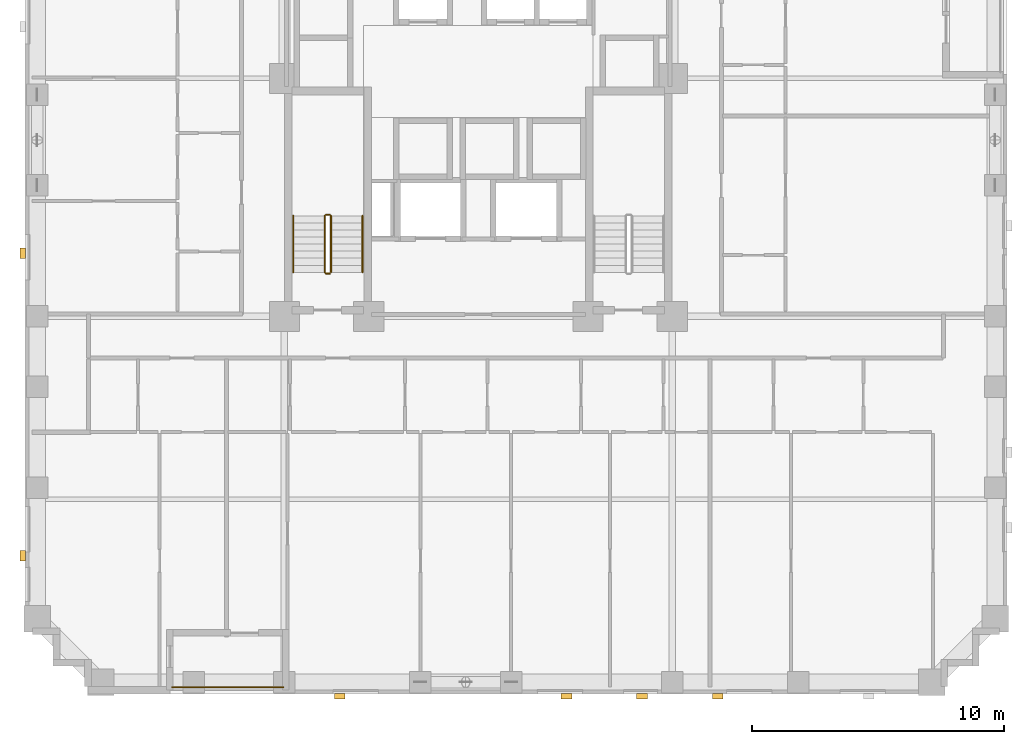
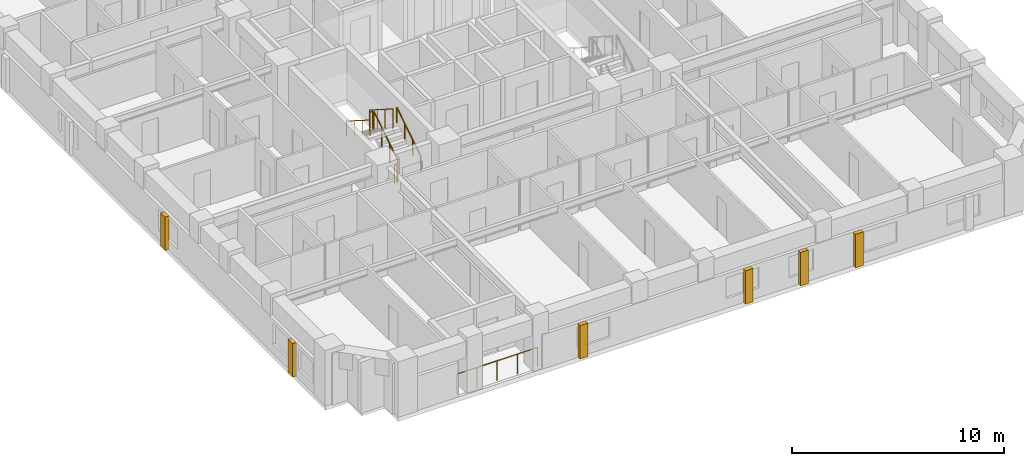
# One storey, part 12 of 14: 7 railings, 6 coverings.
"""IFC4 building model written with IfcOpenShell, lengths in metres."""

from ifc_helpers import new_model, si_unit, derived_unit, direction, frame, origin, origin_2d, place, context, subcontext, project, spatial, rectangle, circle, extrude, material, layer, layer_set, type_object, element, save


model = new_model("IFC4")

# Units and contexts
model_context = context("Model", 3, precision=1e-05, world=origin(), true_north=direction((0.0, 1.0)))
body_context = subcontext(model_context, "Body", "Model", "MODEL_VIEW")
ifc_project = project(units=[si_unit("LENGTHUNIT", "METRE"), si_unit("AREAUNIT", "SQUARE_METRE"), si_unit("VOLUMEUNIT", "CUBIC_METRE"), si_unit("PLANEANGLEUNIT", "RADIAN"), si_unit("MASSUNIT", "GRAM", prefix="KILO"), derived_unit("THERMALTRANSMITTANCEUNIT", [(si_unit("MASSUNIT", "GRAM", prefix="KILO"), 1), (si_unit("TIMEUNIT", "SECOND"), -3), (si_unit("THERMODYNAMICTEMPERATUREUNIT", "KELVIN"), -1)])], contexts=[model_context])

# Site, building, storey
site_placement = place(None, origin())
site = spatial("IfcSite", under=ifc_project, at=site_placement, CompositionType="ELEMENT")
building_placement = place(site_placement, origin())
building = spatial("IfcBuilding", under=site, at=building_placement, Name="Korrvale Station Residences", CompositionType="ELEMENT")
storey_placement = place(building_placement, frame((0.0, 0.0, 48.199951171875)))
storey = spatial("IfcBuildingStorey", under=building, at=storey_placement, Name="L12", CompositionType="ELEMENT", Elevation=48.199951171875)

# Coverings
ifc_material_1 = material(Name="Architectural precast concrete C45/55", Category="concrete")
ifc_layer = layer(ifc_material_1, 0.219970703125, Name="Architectural precast concrete C45/55")
ifc_layer_set = layer_set([ifc_layer], Name="Architectural precast concrete C45/55")
covering_type = type_object("IfcCoveringType", Name="COV-PIER-400", PredefinedType="CLADDING", material=ifc_layer_set)
for number, where, z_axis, x_axis, name in (
    (1, (35.0, -0.090087890625, 0.02490234375), (0.0, 0.0, 1.0), (1.0, 0.0, 0.0), "L12 Architectural Precast Facade Pier 02"),
    (2, (32.0, -0.090087890625, 0.02490234375), (0.0, 0.0, 1.0), (1.0, 0.0, 0.0), "L12 Architectural Precast Facade Pier 03"),
    (3, (29.0, -0.090087890625, 0.02490234375), (0.0, 0.0, 1.0), (1.0, 0.0, 0.0), "L12 Architectural Precast Facade Pier 04"),
    (4, (20.0, -0.090087890625, 0.02490234375), (0.0, 0.0, 1.0), (1.0, 0.0, 0.0), "L12 Architectural Precast Facade Pier 05"),
    (5, (7.409912109375, 5.5, 0.02490234375), (0.0, 0.0, 1.0), (0.0, 1.0, 0.0), "L12 Architectural Precast Facade Pier 12"),
    (6, (7.409912109375, 17.5, 0.02490234375), (0.0, 0.0, 1.0), (0.0, 1.0, 0.0), "L12 Architectural Precast Facade Pier 13"),
):
    element("IfcCovering", number, at=place(storey_placement, frame(where, z_axis=z_axis, x_axis=x_axis)), inside=storey, type_object=covering_type, Name=name, PredefinedType="CLADDING", context=body_context, shape_type="SweptSolid", body=[
        extrude(rectangle(XDim=0.419921875, YDim=0.219970703125, at=origin_2d()), origin(), (0.0, 0.0, 1.0), 1.925048828125),
    ])

# Railings
ifc_material_2 = material(Name="Powder-coated aluminium picket loggia guard", Category="aluminium")
railing_type_1 = type_object("IfcRailingType", Name="RLG-BAL-1150", PredefinedType="GUARDRAIL", material=ifc_material_2)
railing_1_placement = place(storey_placement, frame((13.35009765625, 0.27001953125, 0.0)))
element("IfcRailing", 7, at=railing_1_placement, inside=storey, type_object=railing_type_1, Name="L12 Recessed Loggia Guardrail BAL-L12-S1", PredefinedType="GUARDRAIL", context=body_context, shape_type="SweptSolid", body=[
    extrude(circle(Radius=0.02392578125, at=origin_2d()), frame((0.0, 0.0, 1.1259765625), z_axis=(1.0, 0.0, 0.0), x_axis=(0.0, 1.0, 0.0)), (0.0, 0.0, 1.0), 4.39990234375),
    extrude(circle(Radius=0.02099609375, at=origin_2d()), origin(), (0.0, 0.0, 1.0), 1.101806640625),
    extrude(circle(Radius=0.02099609375, at=origin_2d()), frame((1.10009765625, 0.0, 0.0)), (0.0, 0.0, 1.0), 1.101806640625),
    extrude(circle(Radius=0.02099609375, at=origin_2d()), frame((2.199951171875, 0.0, 0.0)), (0.0, 0.0, 1.0), 1.101806640625),
    extrude(circle(Radius=0.02099609375, at=origin_2d()), frame((3.2998046875, 0.0, 0.0)), (0.0, 0.0, 1.0), 1.101806640625),
    extrude(circle(Radius=0.02099609375, at=origin_2d()), frame((4.39990234375, 0.0, 0.0)), (0.0, 0.0, 1.0), 1.101806640625),
])
ifc_material_3 = material(Name="Brushed stainless-steel continuous stair handrail", Category="steel")
railing_type_2 = type_object("IfcRailingType", Name="RLG-SHND-900", PredefinedType="HANDRAIL", material=ifc_material_3)
railing_2_placement = place(storey_placement, frame((20.89990234375, 16.75, 0.177734375)))
element("IfcRailing", 8, at=railing_2_placement, inside=storey, type_object=railing_type_2, Name="L12 ST-1 stair handrail 1", PredefinedType="HANDRAIL", context=body_context, shape_type="SweptSolid", body=[
    extrude(circle(Radius=0.02392578125, at=origin_2d()), frame((0.0, 0.0, 0.8759765625), z_axis=(0.0, 0.84418770128, 0.536047689118), x_axis=(-1.0, 0.0, 0.0)), (0.0, 0.0, 1.0), 2.6533203125),
    extrude(circle(Radius=0.02099609375, at=origin_2d()), origin(), (0.0, 0.0, 1.0), 0.851806640625),
    extrude(circle(Radius=0.02099609375, at=origin_2d()), frame((0.0, 0.74658203125, 0.47412109375)), (0.0, 0.0, 1.0), 0.851806640625),
    extrude(circle(Radius=0.02099609375, at=origin_2d()), frame((0.0, 1.493408203125, 0.9482421875)), (0.0, 0.0, 1.0), 0.851806640625),
    extrude(circle(Radius=0.02099609375, at=origin_2d()), frame((0.0, 2.239990234375, 1.42236328125)), (0.0, 0.0, 1.0), 0.851806640625),
])
railing_3_placement = place(storey_placement, frame((18.14990234375, 18.989990234375, 1.77783203125)))
element("IfcRailing", 9, at=railing_3_placement, inside=storey, type_object=railing_type_2, Name="L12 ST-1 stair handrail 2", PredefinedType="HANDRAIL", context=body_context, shape_type="SweptSolid", body=[
    extrude(circle(Radius=0.02392578125, at=origin_2d()), frame((0.0, 0.0, 0.8759765625), z_axis=(0.0, -0.8442293374, 0.53598211339), x_axis=(1.0, 0.0, 0.0)), (0.0, 0.0, 1.0), 2.6533203125),
    extrude(circle(Radius=0.02099609375, at=origin_2d()), origin(), (0.0, 0.0, 1.0), 0.851806640625),
    extrude(circle(Radius=0.02099609375, at=origin_2d()), frame((0.0, -0.74658203125, 0.47412109375)), (0.0, 0.0, 1.0), 0.851806640625),
    extrude(circle(Radius=0.02099609375, at=origin_2d()), frame((0.0, -1.493408203125, 0.947998046875)), (0.0, 0.0, 1.0), 0.851806640625),
    extrude(circle(Radius=0.02099609375, at=origin_2d()), frame((0.0, -2.239990234375, 1.422119140625)), (0.0, 0.0, 1.0), 0.851806640625),
])
ifc_material_4 = material(Name="Galvanised painted tubular steel stair guard", Category="steel")
railing_type_3 = type_object("IfcRailingType", Name="RLG-STR-1100", PredefinedType="GUARDRAIL", material=ifc_material_4)
railing_4_placement = place(storey_placement, frame((19.64990234375, 16.75, 0.177734375)))
element("IfcRailing", 10, at=railing_4_placement, inside=storey, type_object=railing_type_3, Name="L12 ST-1 stair guard 1", PredefinedType="GUARDRAIL", context=body_context, shape_type="SweptSolid", body=[
    extrude(circle(Radius=0.02392578125, at=origin_2d()), frame((0.0, 0.0, 1.076171875), z_axis=(0.0, 0.84418770128, 0.536047689118), x_axis=(-1.0, 0.0, 0.0)), (0.0, 0.0, 1.0), 2.6533203125),
    extrude(circle(Radius=0.02099609375, at=origin_2d()), origin(), (0.0, 0.0, 1.0), 1.052001953125),
    extrude(circle(Radius=0.02099609375, at=origin_2d()), frame((0.0, 0.74658203125, 0.47412109375)), (0.0, 0.0, 1.0), 1.052001953125),
    extrude(circle(Radius=0.02099609375, at=origin_2d()), frame((0.0, 1.493408203125, 0.9482421875)), (0.0, 0.0, 1.0), 1.052001953125),
    extrude(circle(Radius=0.02099609375, at=origin_2d()), frame((0.0, 2.239990234375, 1.42236328125)), (0.0, 0.0, 1.0), 1.052001953125),
])
railing_5_placement = place(storey_placement, frame((19.60009765625, 19.0400390625, 1.60009765625)))
element("IfcRailing", 11, at=railing_5_placement, inside=storey, type_object=railing_type_3, Name="L12 ST-1 stair guard 2", PredefinedType="GUARDRAIL", context=body_context, shape_type="SweptSolid", body=[
    extrude(circle(Radius=0.02392578125, at=origin_2d()), frame((0.0, 0.0, 1.076171875), z_axis=(-1.0, 0.0, 0.0), x_axis=(0.0, -1.0, 0.0)), (0.0, 0.0, 1.0), 0.150146484375),
    extrude(circle(Radius=0.02099609375, at=origin_2d()), origin(), (0.0, 0.0, 1.0), 1.052001953125),
    extrude(circle(Radius=0.02099609375, at=origin_2d()), frame((-0.150146484375, 0.0, 0.0)), (0.0, 0.0, 1.0), 1.052001953125),
])
railing_6_placement = place(storey_placement, frame((19.39990234375, 18.989990234375, 1.77783203125)))
element("IfcRailing", 12, at=railing_6_placement, inside=storey, type_object=railing_type_3, Name="L12 ST-1 stair guard 3", PredefinedType="GUARDRAIL", context=body_context, shape_type="SweptSolid", body=[
    extrude(circle(Radius=0.02392578125, at=origin_2d()), frame((0.0, 0.0, 1.076171875), z_axis=(0.0, -0.8442293374, 0.53598211339), x_axis=(1.0, 0.0, 0.0)), (0.0, 0.0, 1.0), 2.6533203125),
    extrude(circle(Radius=0.02099609375, at=origin_2d()), origin(), (0.0, 0.0, 1.0), 1.052001953125),
    extrude(circle(Radius=0.02099609375, at=origin_2d()), frame((0.0, -0.74658203125, 0.47412109375)), (0.0, 0.0, 1.0), 1.052001953125),
    extrude(circle(Radius=0.02099609375, at=origin_2d()), frame((0.0, -1.493408203125, 0.947998046875)), (0.0, 0.0, 1.0), 1.052001953125),
    extrude(circle(Radius=0.02099609375, at=origin_2d()), frame((0.0, -2.239990234375, 1.422119140625)), (0.0, 0.0, 1.0), 1.052001953125),
])
railing_7_placement = place(storey_placement, frame((19.60009765625, 16.699951171875, 0.0)))
element("IfcRailing", 13, at=railing_7_placement, inside=storey, type_object=railing_type_3, Name="L12 ST-1 stair guard 4", PredefinedType="GUARDRAIL", context=body_context, shape_type="SweptSolid", body=[
    extrude(circle(Radius=0.02392578125, at=origin_2d()), frame((0.0, 0.0, 1.076171875), z_axis=(-1.0, 0.0, 0.0), x_axis=(0.0, -1.0, 0.0)), (0.0, 0.0, 1.0), 0.150146484375),
    extrude(circle(Radius=0.02099609375, at=origin_2d()), origin(), (0.0, 0.0, 1.0), 1.052001953125),
    extrude(circle(Radius=0.02099609375, at=origin_2d()), frame((-0.150146484375, 0.0, 0.0)), (0.0, 0.0, 1.0), 1.052001953125),
])

save(model, "model.ifc")
